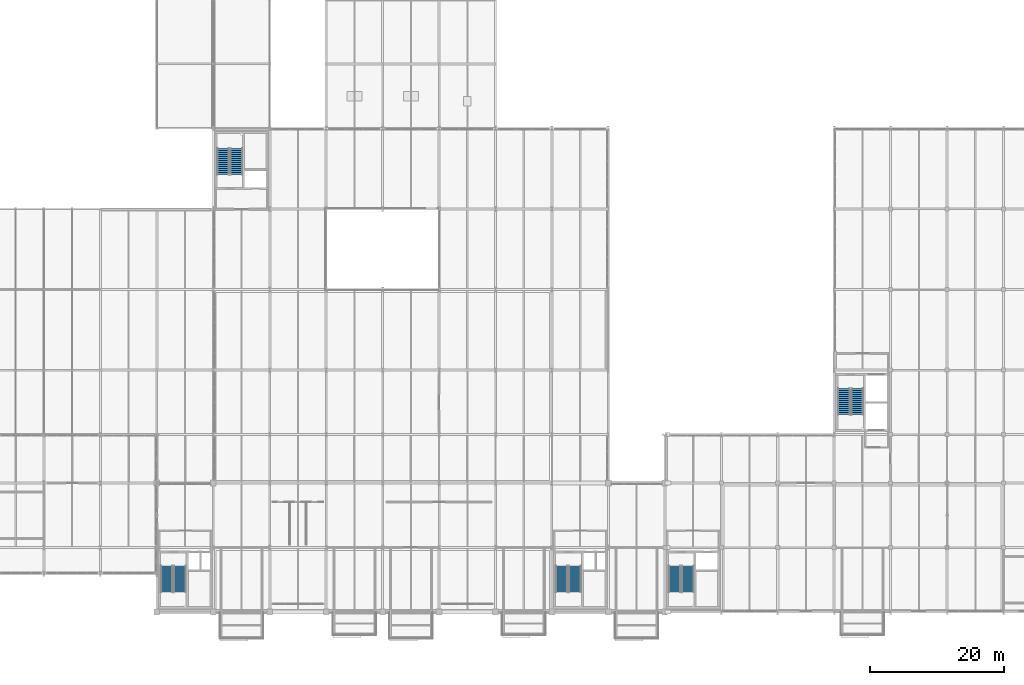
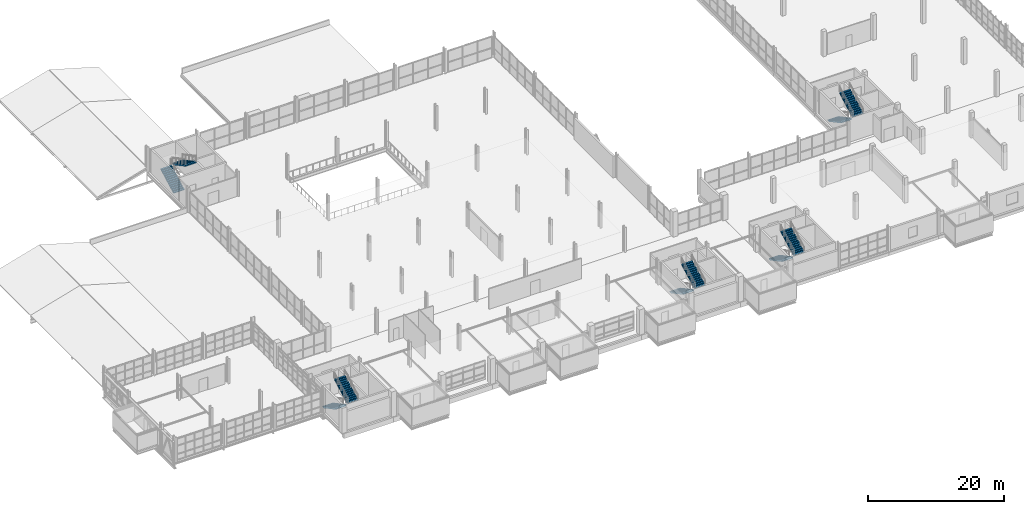
# One storey, part 123 of 130: 10 stair flights, 5 elements without a shape of their own.
"""IFC4 building model written with IfcOpenShell, lengths in metres."""

from ifc_helpers import new_model, si_unit, direction, frame, origin, place, context, subcontext, project, spatial, polyline, outline, extrude, material, type_object, element, aggregate, save


model = new_model("IFC4")

# Units and contexts
model_context = context("Model", 3, precision=1e-05, world=origin(), true_north=direction((0.0, 1.0)))
body_context = subcontext(model_context, "Body", "Model", "MODEL_VIEW")
ifc_project = project(units=[si_unit("LENGTHUNIT", "METRE"), si_unit("AREAUNIT", "SQUARE_METRE"), si_unit("VOLUMEUNIT", "CUBIC_METRE"), si_unit("PLANEANGLEUNIT", "RADIAN"), si_unit("MASSUNIT", "GRAM", prefix="KILO")], contexts=[model_context])

# Site, building, storey
site_placement = place(None, origin())
site = spatial("IfcSite", under=ifc_project, at=site_placement, CompositionType="ELEMENT")
building_placement = place(site_placement, origin())
building = spatial("IfcBuilding", under=site, at=building_placement, Name="Veltarok Museum of Natural Sciences", CompositionType="ELEMENT")
storey_placement = place(building_placement, frame((0.0, 0.0, 12.89990234375)))
storey = spatial("IfcBuildingStorey", under=building, at=storey_placement, Name="L02", CompositionType="ELEMENT", Elevation=12.89990234375)

# Stair, stair flights
ifc_material = material(Name="Precast concrete C40/50", Category="concrete")
stair_type = type_object("IfcStairType", Name="Protected Half-Turn Escape Stair H4500", PredefinedType="HALF_TURN_STAIR", material=ifc_material)
stair_1_placement = place(storey_placement, origin())
stair_1 = element("IfcStair", 1, at=stair_1_placement, inside=storey, type_object=stair_type, Name="Protected Escape Stair ST-01-L02", PredefinedType="HALF_TURN_STAIR")
stair_flight_type = type_object("IfcStairFlightType", Name="Protected Escape Stair Flight W1820", PredefinedType="STRAIGHT", material=ifc_material)
stair_flight_1_placement = place(storey_placement, frame((33.06005859375, 6.89990234375, 0.0), z_axis=(0.0, 0.0, 1.0), x_axis=(0.0, -1.0, 0.0)))
stair_flight_1 = element("IfcStairFlight", 2, at=stair_flight_1_placement, type_object=stair_flight_type, Name="ST-01-L02 flight 1", NumberOfRisers=14, NumberOfTreads=13, PredefinedType="STRAIGHT", RiserHeight=0.160714, TreadLength=0.3, context=body_context, shape_type="SweptSolid", body=[
    extrude(outline(polyline([(0.0, 0.0), (0.0, 0.16064453125), (0.300048828125, 0.16064453125), (0.300048828125, 0.321533203125), (0.60009765625, 0.321533203125), (0.60009765625, 0.482177734375), (0.89990234375, 0.482177734375), (0.89990234375, 0.642822265625), (1.199951171875, 0.642822265625), (1.199951171875, 0.803466796875), (1.5, 0.803466796875), (1.5, 0.96435546875), (1.800048828125, 0.96435546875), (1.800048828125, 1.125), (2.10009765625, 1.125), (2.10009765625, 1.28564453125), (2.39990234375, 1.28564453125), (2.39990234375, 1.446533203125), (2.699951171875, 1.446533203125), (2.699951171875, 1.607177734375), (3.0, 1.607177734375), (3.0, 1.767822265625), (3.300048828125, 1.767822265625), (3.300048828125, 1.928466796875), (3.60009765625, 1.928466796875), (3.60009765625, 2.08935546875), (3.89990234375, 2.08935546875), (3.89990234375, 2.25), (3.89990234375, 1.88525390625), (0.381103515625, 0.0), (0.0, 0.0)])), frame((0.0, 0.91015625, 0.0), z_axis=(0.0, -1.0, 0.0), x_axis=(1.0, 0.0, 0.0)), (0.0, 0.0, 1.0), 1.820068359375),
])
stair_flight_2_placement = place(storey_placement, frame((35.0400390625, 3.0, 2.25), z_axis=(0.0, 0.0, 1.0), x_axis=(0.0, 1.0, 0.0)))
stair_flight_2 = element("IfcStairFlight", 3, at=stair_flight_2_placement, type_object=stair_flight_type, Name="ST-01-L02 flight 2", NumberOfRisers=14, NumberOfTreads=13, PredefinedType="STRAIGHT", RiserHeight=0.160714, TreadLength=0.3, context=body_context, shape_type="SweptSolid", body=[
    extrude(outline(polyline([(0.0, 0.0), (0.0, 0.16064453125), (0.300048828125, 0.16064453125), (0.300048828125, 0.321533203125), (0.60009765625, 0.321533203125), (0.60009765625, 0.482177734375), (0.89990234375, 0.482177734375), (0.89990234375, 0.642822265625), (1.199951171875, 0.642822265625), (1.199951171875, 0.803466796875), (1.5, 0.803466796875), (1.5, 0.96435546875), (1.800048828125, 0.96435546875), (1.800048828125, 1.125), (2.10009765625, 1.125), (2.10009765625, 1.28564453125), (2.39990234375, 1.28564453125), (2.39990234375, 1.446533203125), (2.699951171875, 1.446533203125), (2.699951171875, 1.607177734375), (3.0, 1.607177734375), (3.0, 1.767822265625), (3.300048828125, 1.767822265625), (3.300048828125, 1.928466796875), (3.60009765625, 1.928466796875), (3.60009765625, 2.08935546875), (3.89990234375, 2.08935546875), (3.89990234375, 2.25), (3.89990234375, 1.88525390625), (0.381103515625, 0.0), (0.0, 0.0)])), frame((0.0, 0.91015625, 0.0), z_axis=(0.0, -1.0, 0.0), x_axis=(1.0, 0.0, 0.0)), (0.0, 0.0, 1.0), 1.820068359375),
])
aggregate(stair_1, [stair_flight_1, stair_flight_2])

stair_2_placement = place(storey_placement, origin())
stair_2 = element("IfcStair", 4, at=stair_2_placement, inside=storey, type_object=stair_type, Name="Protected Escape Stair ST-02-L02", PredefinedType="HALF_TURN_STAIR")
stair_flight_3_placement = place(storey_placement, frame((91.860107421875, 6.89990234375, 0.0), z_axis=(0.0, 0.0, 1.0), x_axis=(0.0, -1.0, 0.0)))
stair_flight_3 = element("IfcStairFlight", 5, at=stair_flight_3_placement, type_object=stair_flight_type, Name="ST-02-L02 flight 1", NumberOfRisers=14, NumberOfTreads=13, PredefinedType="STRAIGHT", RiserHeight=0.160714, TreadLength=0.3, context=body_context, shape_type="SweptSolid", body=[
    extrude(outline(polyline([(0.0, 0.0), (0.0, 0.16064453125), (0.300048828125, 0.16064453125), (0.300048828125, 0.321533203125), (0.60009765625, 0.321533203125), (0.60009765625, 0.482177734375), (0.89990234375, 0.482177734375), (0.89990234375, 0.642822265625), (1.199951171875, 0.642822265625), (1.199951171875, 0.803466796875), (1.5, 0.803466796875), (1.5, 0.96435546875), (1.800048828125, 0.96435546875), (1.800048828125, 1.125), (2.10009765625, 1.125), (2.10009765625, 1.28564453125), (2.39990234375, 1.28564453125), (2.39990234375, 1.446533203125), (2.699951171875, 1.446533203125), (2.699951171875, 1.607177734375), (3.0, 1.607177734375), (3.0, 1.767822265625), (3.300048828125, 1.767822265625), (3.300048828125, 1.928466796875), (3.60009765625, 1.928466796875), (3.60009765625, 2.08935546875), (3.89990234375, 2.08935546875), (3.89990234375, 2.25), (3.89990234375, 1.88525390625), (0.381103515625, 0.0), (0.0, 0.0)])), frame((0.0, 0.91015625, 0.0), z_axis=(0.0, -1.0, 0.0), x_axis=(1.0, 0.0, 0.0)), (0.0, 0.0, 1.0), 1.820068359375),
])
stair_flight_4_placement = place(storey_placement, frame((93.840087890625, 3.0, 2.25), z_axis=(0.0, 0.0, 1.0), x_axis=(0.0, 1.0, 0.0)))
stair_flight_4 = element("IfcStairFlight", 6, at=stair_flight_4_placement, type_object=stair_flight_type, Name="ST-02-L02 flight 2", NumberOfRisers=14, NumberOfTreads=13, PredefinedType="STRAIGHT", RiserHeight=0.160714, TreadLength=0.3, context=body_context, shape_type="SweptSolid", body=[
    extrude(outline(polyline([(0.0, 0.0), (0.0, 0.16064453125), (0.300048828125, 0.16064453125), (0.300048828125, 0.321533203125), (0.60009765625, 0.321533203125), (0.60009765625, 0.482177734375), (0.89990234375, 0.482177734375), (0.89990234375, 0.642822265625), (1.199951171875, 0.642822265625), (1.199951171875, 0.803466796875), (1.5, 0.803466796875), (1.5, 0.96435546875), (1.800048828125, 0.96435546875), (1.800048828125, 1.125), (2.10009765625, 1.125), (2.10009765625, 1.28564453125), (2.39990234375, 1.28564453125), (2.39990234375, 1.446533203125), (2.699951171875, 1.446533203125), (2.699951171875, 1.607177734375), (3.0, 1.607177734375), (3.0, 1.767822265625), (3.300048828125, 1.767822265625), (3.300048828125, 1.928466796875), (3.60009765625, 1.928466796875), (3.60009765625, 2.08935546875), (3.89990234375, 2.08935546875), (3.89990234375, 2.25), (3.89990234375, 1.88525390625), (0.381103515625, 0.0), (0.0, 0.0)])), frame((0.0, 0.91015625, 0.0), z_axis=(0.0, -1.0, 0.0), x_axis=(1.0, 0.0, 0.0)), (0.0, 0.0, 1.0), 1.820068359375),
])
aggregate(stair_2, [stair_flight_3, stair_flight_4])

stair_3_placement = place(storey_placement, origin())
stair_3 = element("IfcStair", 7, at=stair_3_placement, inside=storey, type_object=stair_type, Name="Protected Escape Stair ST-03-L02", PredefinedType="HALF_TURN_STAIR")
stair_flight_5_placement = place(storey_placement, frame((41.4599609375, 65.10009765625, 0.0), z_axis=(0.0, 0.0, 1.0), x_axis=(0.0, 1.0, 0.0)))
stair_flight_5 = element("IfcStairFlight", 8, at=stair_flight_5_placement, type_object=stair_flight_type, Name="ST-03-L02 flight 1", NumberOfRisers=14, NumberOfTreads=13, PredefinedType="STRAIGHT", RiserHeight=0.160714, TreadLength=0.3, context=body_context, shape_type="SweptSolid", body=[
    extrude(outline(polyline([(0.0, 0.0), (0.0, 0.16064453125), (0.300048828125, 0.16064453125), (0.300048828125, 0.321533203125), (0.60009765625, 0.321533203125), (0.60009765625, 0.482177734375), (0.89990234375, 0.482177734375), (0.89990234375, 0.642822265625), (1.199951171875, 0.642822265625), (1.199951171875, 0.803466796875), (1.5, 0.803466796875), (1.5, 0.96435546875), (1.800048828125, 0.96435546875), (1.800048828125, 1.125), (2.10009765625, 1.125), (2.10009765625, 1.28564453125), (2.39990234375, 1.28564453125), (2.39990234375, 1.446533203125), (2.699951171875, 1.446533203125), (2.699951171875, 1.607177734375), (3.0, 1.607177734375), (3.0, 1.767822265625), (3.300048828125, 1.767822265625), (3.300048828125, 1.928466796875), (3.60009765625, 1.928466796875), (3.60009765625, 2.08935546875), (3.89990234375, 2.08935546875), (3.89990234375, 2.25), (3.89990234375, 1.88525390625), (0.381103515625, 0.0), (0.0, 0.0)])), frame((0.0, 0.91015625, 0.0), z_axis=(0.0, -1.0, 0.0), x_axis=(1.0, 0.0, 0.0)), (0.0, 0.0, 1.0), 1.820068359375),
])
stair_flight_6_placement = place(storey_placement, frame((43.43994140625, 69.0, 2.25), z_axis=(0.0, 0.0, 1.0), x_axis=(0.0, -1.0, 0.0)))
stair_flight_6 = element("IfcStairFlight", 9, at=stair_flight_6_placement, type_object=stair_flight_type, Name="ST-03-L02 flight 2", NumberOfRisers=14, NumberOfTreads=13, PredefinedType="STRAIGHT", RiserHeight=0.160714, TreadLength=0.3, context=body_context, shape_type="SweptSolid", body=[
    extrude(outline(polyline([(0.0, 0.0), (0.0, 0.16064453125), (0.300048828125, 0.16064453125), (0.300048828125, 0.321533203125), (0.60009765625, 0.321533203125), (0.60009765625, 0.482177734375), (0.89990234375, 0.482177734375), (0.89990234375, 0.642822265625), (1.199951171875, 0.642822265625), (1.199951171875, 0.803466796875), (1.5, 0.803466796875), (1.5, 0.96435546875), (1.800048828125, 0.96435546875), (1.800048828125, 1.125), (2.10009765625, 1.125), (2.10009765625, 1.28564453125), (2.39990234375, 1.28564453125), (2.39990234375, 1.446533203125), (2.699951171875, 1.446533203125), (2.699951171875, 1.607177734375), (3.0, 1.607177734375), (3.0, 1.767822265625), (3.300048828125, 1.767822265625), (3.300048828125, 1.928466796875), (3.60009765625, 1.928466796875), (3.60009765625, 2.08935546875), (3.89990234375, 2.08935546875), (3.89990234375, 2.25), (3.89990234375, 1.88525390625), (0.381103515625, 0.0), (0.0, 0.0)])), frame((0.0, 0.91015625, 0.0), z_axis=(0.0, -1.0, 0.0), x_axis=(1.0, 0.0, 0.0)), (0.0, 0.0, 1.0), 1.820068359375),
])
aggregate(stair_3, [stair_flight_5, stair_flight_6])

stair_4_placement = place(storey_placement, origin())
stair_4 = element("IfcStair", 10, at=stair_4_placement, inside=storey, type_object=stair_type, Name="Protected Escape Stair ST-04-L02", PredefinedType="HALF_TURN_STAIR")
stair_flight_7_placement = place(storey_placement, frame((108.659912109375, 6.89990234375, 0.0), z_axis=(0.0, 0.0, 1.0), x_axis=(0.0, -1.0, 0.0)))
stair_flight_7 = element("IfcStairFlight", 11, at=stair_flight_7_placement, type_object=stair_flight_type, Name="ST-04-L02 flight 1", NumberOfRisers=14, NumberOfTreads=13, PredefinedType="STRAIGHT", RiserHeight=0.160714, TreadLength=0.3, context=body_context, shape_type="SweptSolid", body=[
    extrude(outline(polyline([(0.0, 0.0), (0.0, 0.16064453125), (0.300048828125, 0.16064453125), (0.300048828125, 0.321533203125), (0.60009765625, 0.321533203125), (0.60009765625, 0.482177734375), (0.89990234375, 0.482177734375), (0.89990234375, 0.642822265625), (1.199951171875, 0.642822265625), (1.199951171875, 0.803466796875), (1.5, 0.803466796875), (1.5, 0.96435546875), (1.800048828125, 0.96435546875), (1.800048828125, 1.125), (2.10009765625, 1.125), (2.10009765625, 1.28564453125), (2.39990234375, 1.28564453125), (2.39990234375, 1.446533203125), (2.699951171875, 1.446533203125), (2.699951171875, 1.607177734375), (3.0, 1.607177734375), (3.0, 1.767822265625), (3.300048828125, 1.767822265625), (3.300048828125, 1.928466796875), (3.60009765625, 1.928466796875), (3.60009765625, 2.08935546875), (3.89990234375, 2.08935546875), (3.89990234375, 2.25), (3.89990234375, 1.88525390625), (0.381103515625, 0.0), (0.0, 0.0)])), frame((0.0, 0.91015625, 0.0), z_axis=(0.0, -1.0, 0.0), x_axis=(1.0, 0.0, 0.0)), (0.0, 0.0, 1.0), 1.820068359375),
])
stair_flight_8_placement = place(storey_placement, frame((110.639892578125, 3.0, 2.25), z_axis=(0.0, 0.0, 1.0), x_axis=(0.0, 1.0, 0.0)))
stair_flight_8 = element("IfcStairFlight", 12, at=stair_flight_8_placement, type_object=stair_flight_type, Name="ST-04-L02 flight 2", NumberOfRisers=14, NumberOfTreads=13, PredefinedType="STRAIGHT", RiserHeight=0.160714, TreadLength=0.3, context=body_context, shape_type="SweptSolid", body=[
    extrude(outline(polyline([(0.0, 0.0), (0.0, 0.16064453125), (0.300048828125, 0.16064453125), (0.300048828125, 0.321533203125), (0.60009765625, 0.321533203125), (0.60009765625, 0.482177734375), (0.89990234375, 0.482177734375), (0.89990234375, 0.642822265625), (1.199951171875, 0.642822265625), (1.199951171875, 0.803466796875), (1.5, 0.803466796875), (1.5, 0.96435546875), (1.800048828125, 0.96435546875), (1.800048828125, 1.125), (2.10009765625, 1.125), (2.10009765625, 1.28564453125), (2.39990234375, 1.28564453125), (2.39990234375, 1.446533203125), (2.699951171875, 1.446533203125), (2.699951171875, 1.607177734375), (3.0, 1.607177734375), (3.0, 1.767822265625), (3.300048828125, 1.767822265625), (3.300048828125, 1.928466796875), (3.60009765625, 1.928466796875), (3.60009765625, 2.08935546875), (3.89990234375, 2.08935546875), (3.89990234375, 2.25), (3.89990234375, 1.88525390625), (0.381103515625, 0.0), (0.0, 0.0)])), frame((0.0, 0.91015625, 0.0), z_axis=(0.0, -1.0, 0.0), x_axis=(1.0, 0.0, 0.0)), (0.0, 0.0, 1.0), 1.820068359375),
])
aggregate(stair_4, [stair_flight_7, stair_flight_8])

stair_5_placement = place(storey_placement, origin())
stair_5 = element("IfcStair", 13, at=stair_5_placement, inside=storey, type_object=stair_type, Name="Protected Escape Stair ST-05-L02", PredefinedType="HALF_TURN_STAIR")
stair_flight_9_placement = place(storey_placement, frame((133.860107421875, 33.300048828125, 0.0), z_axis=(0.0, 0.0, 1.0), x_axis=(0.0, -1.0, 0.0)))
stair_flight_9 = element("IfcStairFlight", 14, at=stair_flight_9_placement, type_object=stair_flight_type, Name="ST-05-L02 flight 1", NumberOfRisers=14, NumberOfTreads=13, PredefinedType="STRAIGHT", RiserHeight=0.160714, TreadLength=0.3, context=body_context, shape_type="SweptSolid", body=[
    extrude(outline(polyline([(0.0, 0.0), (0.0, 0.16064453125), (0.300048828125, 0.16064453125), (0.300048828125, 0.321533203125), (0.60009765625, 0.321533203125), (0.60009765625, 0.482177734375), (0.89990234375, 0.482177734375), (0.89990234375, 0.642822265625), (1.199951171875, 0.642822265625), (1.199951171875, 0.803466796875), (1.5, 0.803466796875), (1.5, 0.96435546875), (1.800048828125, 0.96435546875), (1.800048828125, 1.125), (2.10009765625, 1.125), (2.10009765625, 1.28564453125), (2.39990234375, 1.28564453125), (2.39990234375, 1.446533203125), (2.699951171875, 1.446533203125), (2.699951171875, 1.607177734375), (3.0, 1.607177734375), (3.0, 1.767822265625), (3.300048828125, 1.767822265625), (3.300048828125, 1.928466796875), (3.60009765625, 1.928466796875), (3.60009765625, 2.08935546875), (3.89990234375, 2.08935546875), (3.89990234375, 2.25), (3.89990234375, 1.88525390625), (0.381103515625, 0.0), (0.0, 0.0)])), frame((0.0, 0.91015625, 0.0), z_axis=(0.0, -1.0, 0.0), x_axis=(1.0, 0.0, 0.0)), (0.0, 0.0, 1.0), 1.820068359375),
])
stair_flight_10_placement = place(storey_placement, frame((135.840087890625, 29.39990234375, 2.25), z_axis=(0.0, 0.0, 1.0), x_axis=(0.0, 1.0, 0.0)))
stair_flight_10 = element("IfcStairFlight", 15, at=stair_flight_10_placement, type_object=stair_flight_type, Name="ST-05-L02 flight 2", NumberOfRisers=14, NumberOfTreads=13, PredefinedType="STRAIGHT", RiserHeight=0.160714, TreadLength=0.3, context=body_context, shape_type="SweptSolid", body=[
    extrude(outline(polyline([(0.0, 0.0), (0.0, 0.16064453125), (0.300048828125, 0.16064453125), (0.300048828125, 0.321533203125), (0.60009765625, 0.321533203125), (0.60009765625, 0.482177734375), (0.89990234375, 0.482177734375), (0.89990234375, 0.642822265625), (1.199951171875, 0.642822265625), (1.199951171875, 0.803466796875), (1.5, 0.803466796875), (1.5, 0.96435546875), (1.800048828125, 0.96435546875), (1.800048828125, 1.125), (2.10009765625, 1.125), (2.10009765625, 1.28564453125), (2.39990234375, 1.28564453125), (2.39990234375, 1.446533203125), (2.699951171875, 1.446533203125), (2.699951171875, 1.607177734375), (3.0, 1.607177734375), (3.0, 1.767822265625), (3.300048828125, 1.767822265625), (3.300048828125, 1.928466796875), (3.60009765625, 1.928466796875), (3.60009765625, 2.08935546875), (3.89990234375, 2.08935546875), (3.89990234375, 2.25), (3.89990234375, 1.88525390625), (0.381103515625, 0.0), (0.0, 0.0)])), frame((0.0, 0.91015625, 0.0), z_axis=(0.0, -1.0, 0.0), x_axis=(1.0, 0.0, 0.0)), (0.0, 0.0, 1.0), 1.820068359375),
])
aggregate(stair_5, [stair_flight_9, stair_flight_10])

save(model, "model.ifc")
